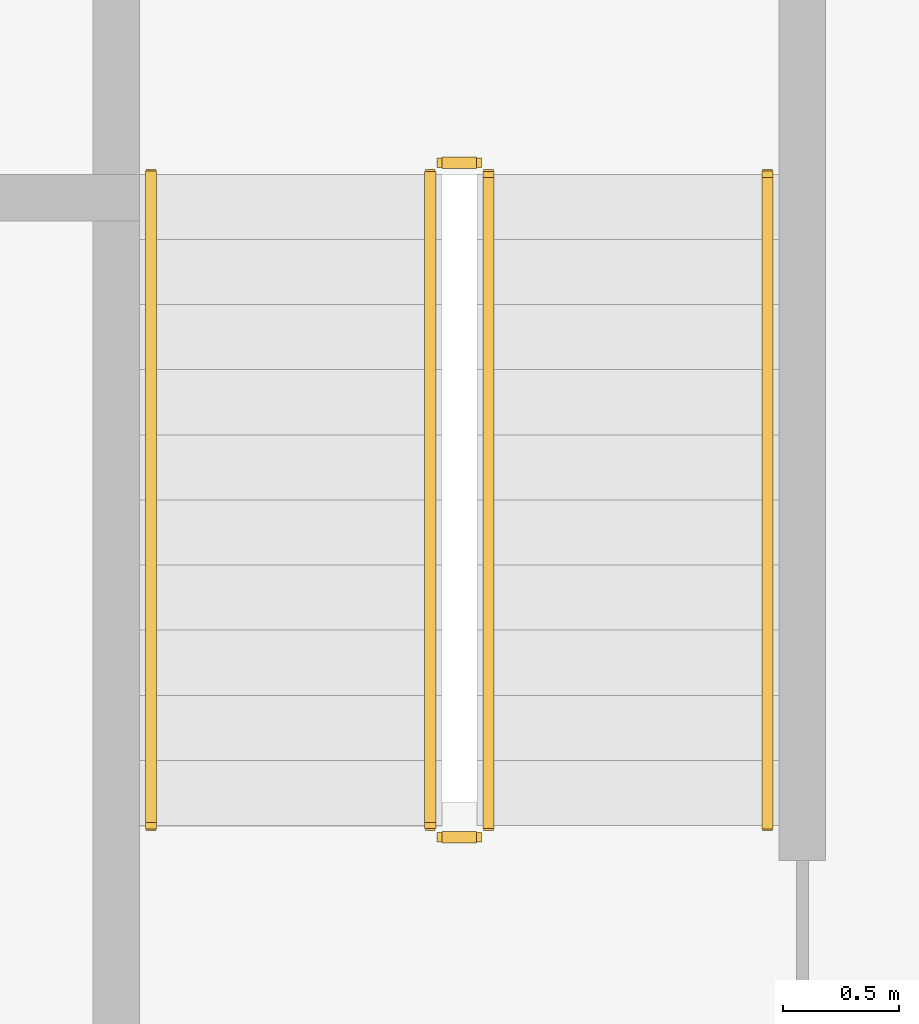
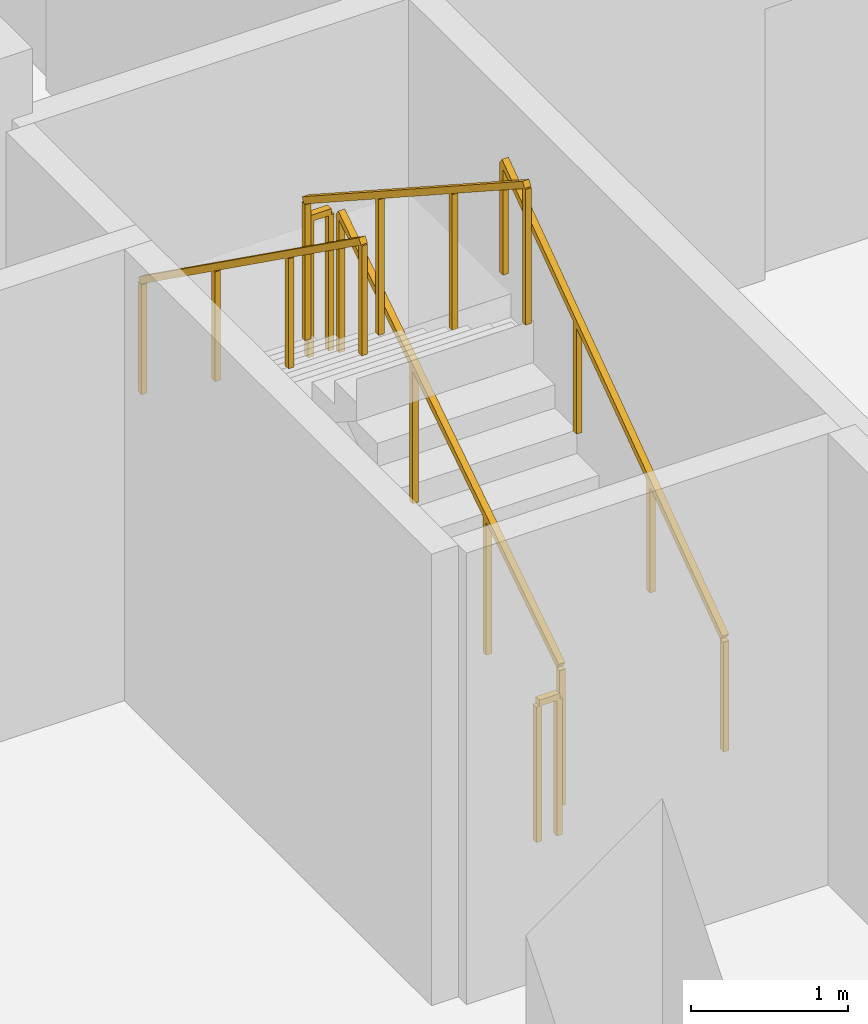
# One storey, part 41 of 45: 6 railings.
"""IFC4 building model written with IfcOpenShell, lengths in metres."""

from ifc_helpers import new_model, si_unit, direction, frame, origin, origin_2d, place, context, subcontext, project, spatial, rectangle, extrude, material, type_object, element, save


model = new_model("IFC4")

# Units and contexts
model_context = context("Model", 3, precision=1e-05, world=origin(), true_north=direction((0.0, 1.0)))
body_context = subcontext(model_context, "Body", "Model", "MODEL_VIEW")
ifc_project = project(units=[si_unit("LENGTHUNIT", "METRE"), si_unit("AREAUNIT", "SQUARE_METRE"), si_unit("VOLUMEUNIT", "CUBIC_METRE"), si_unit("PLANEANGLEUNIT", "RADIAN"), si_unit("MASSUNIT", "GRAM", prefix="KILO")], contexts=[model_context])

# Site, building, storey
site_placement = place(None, origin())
site = spatial("IfcSite", under=ifc_project, at=site_placement, CompositionType="ELEMENT")
building_placement = place(site_placement, origin())
building = spatial("IfcBuilding", under=site, at=building_placement, Name="Beryl Residences", CompositionType="ELEMENT")
storey_placement = place(building_placement, frame((0.0, 0.0, 5.0)))
storey = spatial("IfcBuildingStorey", under=building, at=storey_placement, Name="L01", CompositionType="ELEMENT", Elevation=5.0)

# Railings
ifc_material_1 = material(Name="Stainless steel balustrade with glass infill", Category="steel")
railing_type_1 = type_object("IfcRailingType", Name="SG1 stair guard 1100 mm", PredefinedType="GUARDRAIL", material=ifc_material_1)
railing_1_placement = place(storey_placement, frame((-41.25, -4.699951171875, 0.181884765625)))
element("IfcRailing", 1, at=railing_1_placement, inside=storey, type_object=railing_type_1, Name="L01 PS-6 stair guard 1", PredefinedType="GUARDRAIL", context=body_context, shape_type="SweptSolid", body=[
    extrude(rectangle(XDim=0.048095703125, YDim=0.048095703125, at=origin_2d()), frame((0.0, 0.0, 1.076171875), z_axis=(0.0, 0.838705829183, 0.544584733623), x_axis=(-1.0, 0.0, 0.0)), (0.0, 0.0, 1.0), 3.338623046875),
    extrude(rectangle(XDim=0.0419921875, YDim=0.0419921875, at=origin_2d()), origin(), (0.0, 0.0, 1.0), 1.052001953125),
    extrude(rectangle(XDim=0.0419921875, YDim=0.0419921875, at=origin_2d()), frame((0.0, 0.933349609375, 0.60595703125)), (0.0, 0.0, 1.0), 1.052001953125),
    extrude(rectangle(XDim=0.0419921875, YDim=0.0419921875, at=origin_2d()), frame((0.0, 1.86669921875, 1.212158203125)), (0.0, 0.0, 1.0), 1.052001953125),
    extrude(rectangle(XDim=0.0419921875, YDim=0.0419921875, at=origin_2d()), frame((0.0, 2.800048828125, 1.818115234375)), (0.0, 0.0, 1.0), 1.052001953125),
])
railing_2_placement = place(storey_placement, frame((-41.300048828125, -1.85009765625, 2.0)))
element("IfcRailing", 2, at=railing_2_placement, inside=storey, type_object=railing_type_1, Name="L01 PS-6 stair guard 2", PredefinedType="GUARDRAIL", context=body_context, shape_type="SweptSolid", body=[
    extrude(rectangle(XDim=0.048095703125, YDim=0.048095703125, at=origin_2d()), frame((0.0, 0.0, 1.076171875), z_axis=(-1.0, 0.0, 0.0), x_axis=(0.0, -1.0, 0.0)), (0.0, 0.0, 1.0), 0.14990234375),
    extrude(rectangle(XDim=0.0419921875, YDim=0.0419921875, at=origin_2d()), origin(), (0.0, 0.0, 1.0), 1.052001953125),
    extrude(rectangle(XDim=0.0419921875, YDim=0.0419921875, at=origin_2d()), frame((-0.14990234375, 0.0, 0.0)), (0.0, 0.0, 1.0), 1.052001953125),
])
railing_3_placement = place(storey_placement, frame((-41.5, -1.89990234375, 2.181884765625)))
element("IfcRailing", 3, at=railing_3_placement, inside=storey, type_object=railing_type_1, Name="L01 PS-6 stair guard 3", PredefinedType="GUARDRAIL", context=body_context, shape_type="SweptSolid", body=[
    extrude(rectangle(XDim=0.048095703125, YDim=0.048095703125, at=origin_2d()), frame((0.0, 0.0, 1.076171875), z_axis=(0.0, -0.838705829183, 0.544584733623), x_axis=(1.0, 0.0, 0.0)), (0.0, 0.0, 1.0), 3.338623046875),
    extrude(rectangle(XDim=0.0419921875, YDim=0.0419921875, at=origin_2d()), origin(), (0.0, 0.0, 1.0), 1.052001953125),
    extrude(rectangle(XDim=0.0419921875, YDim=0.0419921875, at=origin_2d()), frame((0.0, -0.933349609375, 0.60595703125)), (0.0, 0.0, 1.0), 1.052001953125),
    extrude(rectangle(XDim=0.0419921875, YDim=0.0419921875, at=origin_2d()), frame((0.0, -1.86669921875, 1.212158203125)), (0.0, 0.0, 1.0), 1.052001953125),
    extrude(rectangle(XDim=0.0419921875, YDim=0.0419921875, at=origin_2d()), frame((0.0, -2.800048828125, 1.818115234375)), (0.0, 0.0, 1.0), 1.052001953125),
])
railing_4_placement = place(storey_placement, frame((-41.300048828125, -4.75, 0.0)))
element("IfcRailing", 4, at=railing_4_placement, inside=storey, type_object=railing_type_1, Name="L01 PS-6 stair guard 4", PredefinedType="GUARDRAIL", context=body_context, shape_type="SweptSolid", body=[
    extrude(rectangle(XDim=0.048095703125, YDim=0.048095703125, at=origin_2d()), frame((0.0, 0.0, 1.076171875), z_axis=(-1.0, 0.0, 0.0), x_axis=(0.0, -1.0, 0.0)), (0.0, 0.0, 1.0), 0.14990234375),
    extrude(rectangle(XDim=0.0419921875, YDim=0.0419921875, at=origin_2d()), origin(), (0.0, 0.0, 1.0), 1.052001953125),
    extrude(rectangle(XDim=0.0419921875, YDim=0.0419921875, at=origin_2d()), frame((-0.14990234375, 0.0, 0.0)), (0.0, 0.0, 1.0), 1.052001953125),
])
ifc_material_2 = material(Name="Stainless steel handrail", Category="steel")
railing_type_2 = type_object("IfcRailingType", Name="SRL1 stair handrail 900 mm", PredefinedType="HANDRAIL", material=ifc_material_2)
railing_5_placement = place(storey_placement, frame((-40.050048828125, -4.699951171875, 0.181884765625)))
element("IfcRailing", 5, at=railing_5_placement, inside=storey, type_object=railing_type_2, Name="L01 PS-6 stair handrail 1", PredefinedType="HANDRAIL", context=body_context, shape_type="SweptSolid", body=[
    extrude(rectangle(XDim=0.048095703125, YDim=0.048095703125, at=origin_2d()), frame((0.0, 0.0, 0.8759765625), z_axis=(0.0, 0.813738265173, 0.581231482108), x_axis=(-1.0, 0.0, 0.0)), (0.0, 0.0, 1.0), 3.44091796875),
    extrude(rectangle(XDim=0.0419921875, YDim=0.0419921875, at=origin_2d()), origin(), (0.0, 0.0, 1.0), 0.851806640625),
    extrude(rectangle(XDim=0.0419921875, YDim=0.0419921875, at=origin_2d()), frame((0.0, 0.933349609375, 0.666748046875)), (0.0, 0.0, 1.0), 0.851806640625),
    extrude(rectangle(XDim=0.0419921875, YDim=0.0419921875, at=origin_2d()), frame((0.0, 1.86669921875, 1.333251953125)), (0.0, 0.0, 1.0), 0.851806640625),
    extrude(rectangle(XDim=0.0419921875, YDim=0.0419921875, at=origin_2d()), frame((0.0, 2.800048828125, 2.0)), (0.0, 0.0, 1.0), 0.851806640625),
])
railing_6_placement = place(storey_placement, frame((-42.699951171875, -1.89990234375, 2.181884765625)))
element("IfcRailing", 6, at=railing_6_placement, inside=storey, type_object=railing_type_2, Name="L01 PS-6 stair handrail 2", PredefinedType="HANDRAIL", context=body_context, shape_type="SweptSolid", body=[
    extrude(rectangle(XDim=0.048095703125, YDim=0.048095703125, at=origin_2d()), frame((0.0, 0.0, 0.8759765625), z_axis=(0.0, -0.813738265173, 0.581231482108), x_axis=(1.0, 0.0, 0.0)), (0.0, 0.0, 1.0), 3.44091796875),
    extrude(rectangle(XDim=0.0419921875, YDim=0.0419921875, at=origin_2d()), origin(), (0.0, 0.0, 1.0), 0.851806640625),
    extrude(rectangle(XDim=0.0419921875, YDim=0.0419921875, at=origin_2d()), frame((0.0, -0.933349609375, 0.666748046875)), (0.0, 0.0, 1.0), 0.851806640625),
    extrude(rectangle(XDim=0.0419921875, YDim=0.0419921875, at=origin_2d()), frame((0.0, -1.86669921875, 1.333251953125)), (0.0, 0.0, 1.0), 0.851806640625),
    extrude(rectangle(XDim=0.0419921875, YDim=0.0419921875, at=origin_2d()), frame((0.0, -2.800048828125, 2.0)), (0.0, 0.0, 1.0), 0.851806640625),
])

save(model, "model.ifc")
